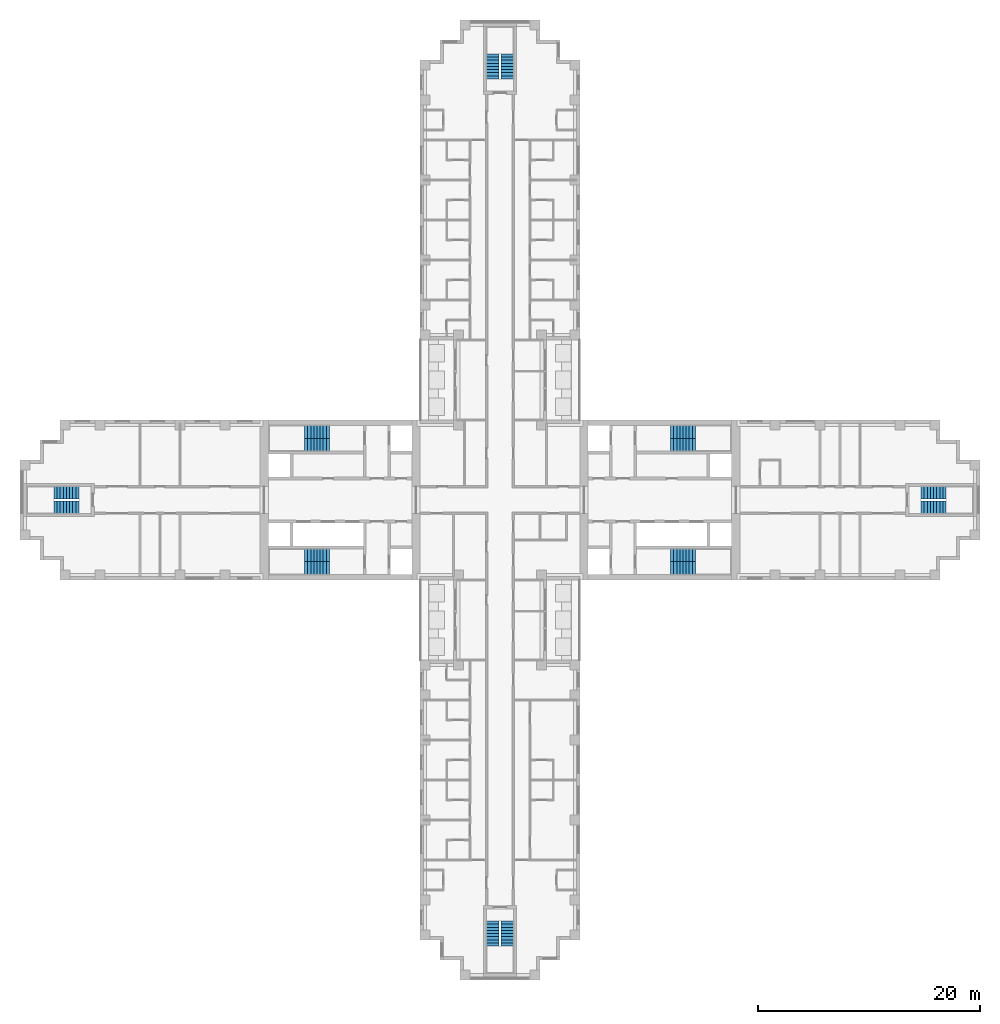
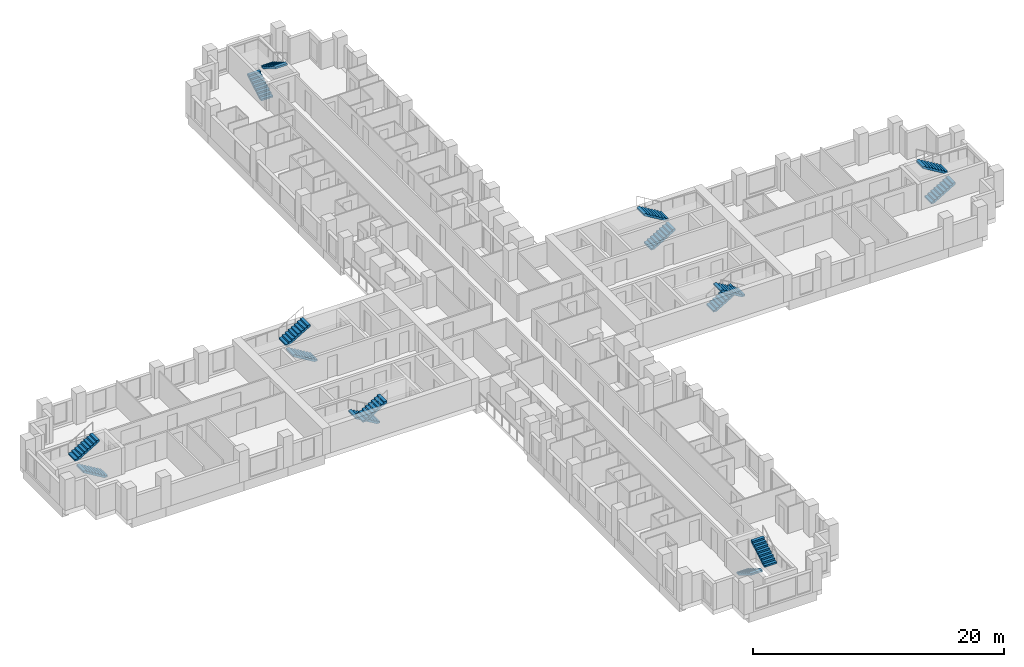
# One storey, part 13 of 15: 16 stair flights, 8 elements without a shape of their own.
"""IFC4 building model written with IfcOpenShell, lengths in metres."""

from ifc_helpers import new_model, si_unit, direction, frame, origin, place, context, subcontext, project, spatial, polyline, outline, extrude, material, type_object, element, aggregate, save


model = new_model("IFC4")

# Units and contexts
model_context = context("Model", 3, precision=1e-05, world=origin(), true_north=direction((0.0, 1.0)))
body_context = subcontext(model_context, "Body", "Model", "MODEL_VIEW")
ifc_project = project(units=[si_unit("LENGTHUNIT", "METRE"), si_unit("AREAUNIT", "SQUARE_METRE"), si_unit("VOLUMEUNIT", "CUBIC_METRE"), si_unit("PLANEANGLEUNIT", "RADIAN"), si_unit("MASSUNIT", "GRAM", prefix="KILO")], contexts=[model_context])

# Site, building, storey
site_placement = place(None, origin())
site = spatial("IfcSite", under=ifc_project, at=site_placement, CompositionType="ELEMENT")
building_placement = place(site_placement, origin())
building = spatial("IfcBuilding", under=site, at=building_placement, Name="Fustian Cross Tower", CompositionType="ELEMENT")
storey_placement = place(building_placement, frame((0.0, 0.0, 17.699951171875)))
storey = spatial("IfcBuildingStorey", under=building, at=storey_placement, Name="L04", CompositionType="ELEMENT", Elevation=17.699951171875)

# Stair, stair flights
ifc_material_1 = material(Name="Concrete C50/60", Category="concrete")
stair_type_1 = type_object("IfcStairType", Name="STAIR 1100 HALF TURN", PredefinedType="HALF_TURN_STAIR", material=ifc_material_1)
stair_1_placement = place(storey_placement, origin())
stair_1 = element("IfcStair", 1, at=stair_1_placement, inside=storey, type_object=stair_type_1, Name="Stair ST5", PredefinedType="HALF_TURN_STAIR")
ifc_material_2 = material(Name="Concrete C50/60", Category="concrete")
stair_flight_type_1 = type_object("IfcStairFlightType", Name="STAIR FLIGHT 1100", PredefinedType="STRAIGHT", material=ifc_material_2)
stair_flight_1_placement = place(storey_placement, frame((-0.64990234375, 37.89990234375, 0.0), z_axis=(0.0, 0.0, 1.0), x_axis=(0.0, 1.0, 0.0)))
stair_flight_1 = element("IfcStairFlight", 2, at=stair_flight_1_placement, type_object=stair_flight_type_1, Name="ST5 flight 1", NumberOfRisers=9, NumberOfTreads=8, PredefinedType="STRAIGHT", RiserHeight=0.166666667, TreadLength=0.28, context=body_context, shape_type="SweptSolid", body=[
    extrude(outline(polyline([(0.0, 0.0), (0.0, 0.166748046875), (0.280029296875, 0.166748046875), (0.280029296875, 0.333251953125), (0.56005859375, 0.333251953125), (0.56005859375, 0.5), (0.840087890625, 0.5), (0.840087890625, 0.666748046875), (1.1201171875, 0.666748046875), (1.1201171875, 0.833251953125), (1.39990234375, 0.833251953125), (1.39990234375, 1.0), (1.679931640625, 1.0), (1.679931640625, 1.166748046875), (1.9599609375, 1.166748046875), (1.9599609375, 1.333251953125), (2.239990234375, 1.333251953125), (2.239990234375, 1.5), (2.239990234375, 1.158935546875), (0.29296875, 0.0), (0.0, 0.0)])), frame((0.0, 0.550048828125, 0.0), z_axis=(0.0, -1.0, 0.0), x_axis=(1.0, 0.0, 0.0)), (0.0, 0.0, 1.0), 1.10009765625),
])
stair_flight_2_placement = place(storey_placement, frame((0.64990234375, 40.139892578125, 1.5), z_axis=(0.0, 0.0, 1.0), x_axis=(0.0, -1.0, 0.0)))
stair_flight_2 = element("IfcStairFlight", 3, at=stair_flight_2_placement, type_object=stair_flight_type_1, Name="ST5 flight 2", NumberOfRisers=9, NumberOfTreads=8, PredefinedType="STRAIGHT", RiserHeight=0.166666667, TreadLength=0.28, context=body_context, shape_type="SweptSolid", body=[
    extrude(outline(polyline([(0.0, 0.0), (0.0, 0.166748046875), (0.280029296875, 0.166748046875), (0.280029296875, 0.333251953125), (0.56005859375, 0.333251953125), (0.56005859375, 0.5), (0.840087890625, 0.5), (0.840087890625, 0.666748046875), (1.1201171875, 0.666748046875), (1.1201171875, 0.833251953125), (1.39990234375, 0.833251953125), (1.39990234375, 1.0), (1.679931640625, 1.0), (1.679931640625, 1.166748046875), (1.9599609375, 1.166748046875), (1.9599609375, 1.333251953125), (2.239990234375, 1.333251953125), (2.239990234375, 1.5), (2.239990234375, 1.158935546875), (0.29296875, 0.0), (0.0, 0.0)])), frame((0.0, 0.550048828125, 0.0), z_axis=(0.0, -1.0, 0.0), x_axis=(1.0, 0.0, 0.0)), (0.0, 0.0, 1.0), 1.10009765625),
])
aggregate(stair_1, [stair_flight_1, stair_flight_2])

stair_2_placement = place(storey_placement, origin())
stair_2 = element("IfcStair", 4, at=stair_2_placement, inside=storey, type_object=stair_type_1, Name="Stair ST6", PredefinedType="HALF_TURN_STAIR")
stair_flight_3_placement = place(storey_placement, frame((-0.64990234375, -37.89990234375, 0.0), z_axis=(0.0, 0.0, 1.0), x_axis=(0.0, -1.0, 0.0)))
stair_flight_3 = element("IfcStairFlight", 5, at=stair_flight_3_placement, type_object=stair_flight_type_1, Name="ST6 flight 1", NumberOfRisers=9, NumberOfTreads=8, PredefinedType="STRAIGHT", RiserHeight=0.166666667, TreadLength=0.28, context=body_context, shape_type="SweptSolid", body=[
    extrude(outline(polyline([(0.0, 0.0), (0.0, 0.166748046875), (0.280029296875, 0.166748046875), (0.280029296875, 0.333251953125), (0.56005859375, 0.333251953125), (0.56005859375, 0.5), (0.840087890625, 0.5), (0.840087890625, 0.666748046875), (1.1201171875, 0.666748046875), (1.1201171875, 0.833251953125), (1.39990234375, 0.833251953125), (1.39990234375, 1.0), (1.679931640625, 1.0), (1.679931640625, 1.166748046875), (1.9599609375, 1.166748046875), (1.9599609375, 1.333251953125), (2.239990234375, 1.333251953125), (2.239990234375, 1.5), (2.239990234375, 1.158935546875), (0.29296875, 0.0), (0.0, 0.0)])), frame((0.0, 0.550048828125, 0.0), z_axis=(0.0, -1.0, 0.0), x_axis=(1.0, 0.0, 0.0)), (0.0, 0.0, 1.0), 1.10009765625),
])
stair_flight_4_placement = place(storey_placement, frame((0.64990234375, -40.139892578125, 1.5), z_axis=(0.0, 0.0, 1.0), x_axis=(0.0, 1.0, 0.0)))
stair_flight_4 = element("IfcStairFlight", 6, at=stair_flight_4_placement, type_object=stair_flight_type_1, Name="ST6 flight 2", NumberOfRisers=9, NumberOfTreads=8, PredefinedType="STRAIGHT", RiserHeight=0.166666667, TreadLength=0.28, context=body_context, shape_type="SweptSolid", body=[
    extrude(outline(polyline([(0.0, 0.0), (0.0, 0.166748046875), (0.280029296875, 0.166748046875), (0.280029296875, 0.333251953125), (0.56005859375, 0.333251953125), (0.56005859375, 0.5), (0.840087890625, 0.5), (0.840087890625, 0.666748046875), (1.1201171875, 0.666748046875), (1.1201171875, 0.833251953125), (1.39990234375, 0.833251953125), (1.39990234375, 1.0), (1.679931640625, 1.0), (1.679931640625, 1.166748046875), (1.9599609375, 1.166748046875), (1.9599609375, 1.333251953125), (2.239990234375, 1.333251953125), (2.239990234375, 1.5), (2.239990234375, 1.158935546875), (0.29296875, 0.0), (0.0, 0.0)])), frame((0.0, 0.550048828125, 0.0), z_axis=(0.0, -1.0, 0.0), x_axis=(1.0, 0.0, 0.0)), (0.0, 0.0, 1.0), 1.10009765625),
])
aggregate(stair_2, [stair_flight_3, stair_flight_4])

stair_3_placement = place(storey_placement, origin())
stair_3 = element("IfcStair", 7, at=stair_3_placement, inside=storey, type_object=stair_type_1, Name="Stair ST8", PredefinedType="HALF_TURN_STAIR")
stair_flight_5_placement = place(storey_placement, frame((37.89990234375, -0.64990234375, 0.0), z_axis=(0.0, 0.0, 1.0), x_axis=(1.0, 0.0, 0.0)))
stair_flight_5 = element("IfcStairFlight", 8, at=stair_flight_5_placement, type_object=stair_flight_type_1, Name="ST8 flight 1", NumberOfRisers=9, NumberOfTreads=8, PredefinedType="STRAIGHT", RiserHeight=0.166666667, TreadLength=0.28, context=body_context, shape_type="SweptSolid", body=[
    extrude(outline(polyline([(0.0, 0.0), (0.0, 0.166748046875), (0.280029296875, 0.166748046875), (0.280029296875, 0.333251953125), (0.56005859375, 0.333251953125), (0.56005859375, 0.5), (0.840087890625, 0.5), (0.840087890625, 0.666748046875), (1.1201171875, 0.666748046875), (1.1201171875, 0.833251953125), (1.39990234375, 0.833251953125), (1.39990234375, 1.0), (1.679931640625, 1.0), (1.679931640625, 1.166748046875), (1.9599609375, 1.166748046875), (1.9599609375, 1.333251953125), (2.239990234375, 1.333251953125), (2.239990234375, 1.5), (2.239990234375, 1.158935546875), (0.29296875, 0.0), (0.0, 0.0)])), frame((0.0, 0.550048828125, 0.0), z_axis=(0.0, -1.0, 0.0), x_axis=(1.0, 0.0, 0.0)), (0.0, 0.0, 1.0), 1.10009765625),
])
stair_flight_6_placement = place(storey_placement, frame((40.139892578125, 0.64990234375, 1.5), z_axis=(0.0, 0.0, 1.0), x_axis=(-1.0, 0.0, 0.0)))
stair_flight_6 = element("IfcStairFlight", 9, at=stair_flight_6_placement, type_object=stair_flight_type_1, Name="ST8 flight 2", NumberOfRisers=9, NumberOfTreads=8, PredefinedType="STRAIGHT", RiserHeight=0.166666667, TreadLength=0.28, context=body_context, shape_type="SweptSolid", body=[
    extrude(outline(polyline([(0.0, 0.0), (0.0, 0.166748046875), (0.280029296875, 0.166748046875), (0.280029296875, 0.333251953125), (0.56005859375, 0.333251953125), (0.56005859375, 0.5), (0.840087890625, 0.5), (0.840087890625, 0.666748046875), (1.1201171875, 0.666748046875), (1.1201171875, 0.833251953125), (1.39990234375, 0.833251953125), (1.39990234375, 1.0), (1.679931640625, 1.0), (1.679931640625, 1.166748046875), (1.9599609375, 1.166748046875), (1.9599609375, 1.333251953125), (2.239990234375, 1.333251953125), (2.239990234375, 1.5), (2.239990234375, 1.158935546875), (0.29296875, 0.0), (0.0, 0.0)])), frame((0.0, 0.550048828125, 0.0), z_axis=(0.0, -1.0, 0.0), x_axis=(1.0, 0.0, 0.0)), (0.0, 0.0, 1.0), 1.10009765625),
])
aggregate(stair_3, [stair_flight_5, stair_flight_6])

stair_4_placement = place(storey_placement, origin())
stair_4 = element("IfcStair", 10, at=stair_4_placement, inside=storey, type_object=stair_type_1, Name="Stair ST9", PredefinedType="HALF_TURN_STAIR")
stair_flight_7_placement = place(storey_placement, frame((-37.89990234375, -0.64990234375, 0.0), z_axis=(0.0, 0.0, 1.0), x_axis=(-1.0, 0.0, 0.0)))
stair_flight_7 = element("IfcStairFlight", 11, at=stair_flight_7_placement, type_object=stair_flight_type_1, Name="ST9 flight 1", NumberOfRisers=9, NumberOfTreads=8, PredefinedType="STRAIGHT", RiserHeight=0.166666667, TreadLength=0.28, context=body_context, shape_type="SweptSolid", body=[
    extrude(outline(polyline([(0.0, 0.0), (0.0, 0.166748046875), (0.280029296875, 0.166748046875), (0.280029296875, 0.333251953125), (0.56005859375, 0.333251953125), (0.56005859375, 0.5), (0.840087890625, 0.5), (0.840087890625, 0.666748046875), (1.1201171875, 0.666748046875), (1.1201171875, 0.833251953125), (1.39990234375, 0.833251953125), (1.39990234375, 1.0), (1.679931640625, 1.0), (1.679931640625, 1.166748046875), (1.9599609375, 1.166748046875), (1.9599609375, 1.333251953125), (2.239990234375, 1.333251953125), (2.239990234375, 1.5), (2.239990234375, 1.158935546875), (0.29296875, 0.0), (0.0, 0.0)])), frame((0.0, 0.550048828125, 0.0), z_axis=(0.0, -1.0, 0.0), x_axis=(1.0, 0.0, 0.0)), (0.0, 0.0, 1.0), 1.10009765625),
])
stair_flight_8_placement = place(storey_placement, frame((-40.139892578125, 0.64990234375, 1.5), z_axis=(0.0, 0.0, 1.0), x_axis=(1.0, 0.0, 0.0)))
stair_flight_8 = element("IfcStairFlight", 12, at=stair_flight_8_placement, type_object=stair_flight_type_1, Name="ST9 flight 2", NumberOfRisers=9, NumberOfTreads=8, PredefinedType="STRAIGHT", RiserHeight=0.166666667, TreadLength=0.28, context=body_context, shape_type="SweptSolid", body=[
    extrude(outline(polyline([(0.0, 0.0), (0.0, 0.166748046875), (0.280029296875, 0.166748046875), (0.280029296875, 0.333251953125), (0.56005859375, 0.333251953125), (0.56005859375, 0.5), (0.840087890625, 0.5), (0.840087890625, 0.666748046875), (1.1201171875, 0.666748046875), (1.1201171875, 0.833251953125), (1.39990234375, 0.833251953125), (1.39990234375, 1.0), (1.679931640625, 1.0), (1.679931640625, 1.166748046875), (1.9599609375, 1.166748046875), (1.9599609375, 1.333251953125), (2.239990234375, 1.333251953125), (2.239990234375, 1.5), (2.239990234375, 1.158935546875), (0.29296875, 0.0), (0.0, 0.0)])), frame((0.0, 0.550048828125, 0.0), z_axis=(0.0, -1.0, 0.0), x_axis=(1.0, 0.0, 0.0)), (0.0, 0.0, 1.0), 1.10009765625),
])
aggregate(stair_4, [stair_flight_7, stair_flight_8])

ifc_material_3 = material(Name="Concrete C50/60", Category="concrete")
stair_type_2 = type_object("IfcStairType", Name="STAIR 1150 HALF TURN", PredefinedType="HALF_TURN_STAIR", material=ifc_material_3)
stair_5_placement = place(storey_placement, origin())
stair_5 = element("IfcStair", 13, at=stair_5_placement, inside=storey, type_object=stair_type_2, Name="Stair ST1", PredefinedType="HALF_TURN_STAIR")
ifc_material_4 = material(Name="Concrete C50/60", Category="concrete")
stair_flight_type_2 = type_object("IfcStairFlightType", Name="STAIR FLIGHT 1150", PredefinedType="STRAIGHT", material=ifc_material_4)
stair_flight_9_placement = place(storey_placement, frame((15.35009765625, 4.97509765625, 0.0), z_axis=(0.0, 0.0, 1.0), x_axis=(1.0, 0.0, 0.0)))
stair_flight_9 = element("IfcStairFlight", 14, at=stair_flight_9_placement, type_object=stair_flight_type_2, Name="ST1 flight 1", NumberOfRisers=9, NumberOfTreads=8, PredefinedType="STRAIGHT", RiserHeight=0.166666667, TreadLength=0.28, context=body_context, shape_type="SweptSolid", body=[
    extrude(outline(polyline([(0.0, 0.0), (0.0, 0.166748046875), (0.280029296875, 0.166748046875), (0.280029296875, 0.333251953125), (0.56005859375, 0.333251953125), (0.56005859375, 0.5), (0.840087890625, 0.5), (0.840087890625, 0.666748046875), (1.1201171875, 0.666748046875), (1.1201171875, 0.833251953125), (1.39990234375, 0.833251953125), (1.39990234375, 1.0), (1.679931640625, 1.0), (1.679931640625, 1.166748046875), (1.9599609375, 1.166748046875), (1.9599609375, 1.333251953125), (2.239990234375, 1.333251953125), (2.239990234375, 1.5), (2.239990234375, 1.158935546875), (0.29296875, 0.0), (0.0, 0.0)])), frame((0.0, 0.574951171875, 0.0), z_axis=(0.0, -1.0, 0.0), x_axis=(1.0, 0.0, 0.0)), (0.0, 0.0, 1.0), 1.14990234375),
])
stair_flight_10_placement = place(storey_placement, frame((17.590087890625, 6.125, 1.5), z_axis=(0.0, 0.0, 1.0), x_axis=(-1.0, 0.0, 0.0)))
stair_flight_10 = element("IfcStairFlight", 15, at=stair_flight_10_placement, type_object=stair_flight_type_2, Name="ST1 flight 2", NumberOfRisers=9, NumberOfTreads=8, PredefinedType="STRAIGHT", RiserHeight=0.166666667, TreadLength=0.28, context=body_context, shape_type="SweptSolid", body=[
    extrude(outline(polyline([(0.0, 0.0), (0.0, 0.166748046875), (0.280029296875, 0.166748046875), (0.280029296875, 0.333251953125), (0.56005859375, 0.333251953125), (0.56005859375, 0.5), (0.840087890625, 0.5), (0.840087890625, 0.666748046875), (1.1201171875, 0.666748046875), (1.1201171875, 0.833251953125), (1.39990234375, 0.833251953125), (1.39990234375, 1.0), (1.679931640625, 1.0), (1.679931640625, 1.166748046875), (1.9599609375, 1.166748046875), (1.9599609375, 1.333251953125), (2.239990234375, 1.333251953125), (2.239990234375, 1.5), (2.239990234375, 1.158935546875), (0.29296875, 0.0), (0.0, 0.0)])), frame((0.0, 0.574951171875, 0.0), z_axis=(0.0, -1.0, 0.0), x_axis=(1.0, 0.0, 0.0)), (0.0, 0.0, 1.0), 1.14990234375),
])
aggregate(stair_5, [stair_flight_9, stair_flight_10])

stair_6_placement = place(storey_placement, origin())
stair_6 = element("IfcStair", 16, at=stair_6_placement, inside=storey, type_object=stair_type_2, Name="Stair ST2", PredefinedType="HALF_TURN_STAIR")
stair_flight_11_placement = place(storey_placement, frame((15.35009765625, -4.97509765625, 0.0), z_axis=(0.0, 0.0, 1.0), x_axis=(1.0, 0.0, 0.0)))
stair_flight_11 = element("IfcStairFlight", 17, at=stair_flight_11_placement, type_object=stair_flight_type_2, Name="ST2 flight 1", NumberOfRisers=9, NumberOfTreads=8, PredefinedType="STRAIGHT", RiserHeight=0.166666667, TreadLength=0.28, context=body_context, shape_type="SweptSolid", body=[
    extrude(outline(polyline([(0.0, 0.0), (0.0, 0.166748046875), (0.280029296875, 0.166748046875), (0.280029296875, 0.333251953125), (0.56005859375, 0.333251953125), (0.56005859375, 0.5), (0.840087890625, 0.5), (0.840087890625, 0.666748046875), (1.1201171875, 0.666748046875), (1.1201171875, 0.833251953125), (1.39990234375, 0.833251953125), (1.39990234375, 1.0), (1.679931640625, 1.0), (1.679931640625, 1.166748046875), (1.9599609375, 1.166748046875), (1.9599609375, 1.333251953125), (2.239990234375, 1.333251953125), (2.239990234375, 1.5), (2.239990234375, 1.158935546875), (0.29296875, 0.0), (0.0, 0.0)])), frame((0.0, 0.574951171875, 0.0), z_axis=(0.0, -1.0, 0.0), x_axis=(1.0, 0.0, 0.0)), (0.0, 0.0, 1.0), 1.14990234375),
])
stair_flight_12_placement = place(storey_placement, frame((17.590087890625, -6.125, 1.5), z_axis=(0.0, 0.0, 1.0), x_axis=(-1.0, 0.0, 0.0)))
stair_flight_12 = element("IfcStairFlight", 18, at=stair_flight_12_placement, type_object=stair_flight_type_2, Name="ST2 flight 2", NumberOfRisers=9, NumberOfTreads=8, PredefinedType="STRAIGHT", RiserHeight=0.166666667, TreadLength=0.28, context=body_context, shape_type="SweptSolid", body=[
    extrude(outline(polyline([(0.0, 0.0), (0.0, 0.166748046875), (0.280029296875, 0.166748046875), (0.280029296875, 0.333251953125), (0.56005859375, 0.333251953125), (0.56005859375, 0.5), (0.840087890625, 0.5), (0.840087890625, 0.666748046875), (1.1201171875, 0.666748046875), (1.1201171875, 0.833251953125), (1.39990234375, 0.833251953125), (1.39990234375, 1.0), (1.679931640625, 1.0), (1.679931640625, 1.166748046875), (1.9599609375, 1.166748046875), (1.9599609375, 1.333251953125), (2.239990234375, 1.333251953125), (2.239990234375, 1.5), (2.239990234375, 1.158935546875), (0.29296875, 0.0), (0.0, 0.0)])), frame((0.0, 0.574951171875, 0.0), z_axis=(0.0, -1.0, 0.0), x_axis=(1.0, 0.0, 0.0)), (0.0, 0.0, 1.0), 1.14990234375),
])
aggregate(stair_6, [stair_flight_11, stair_flight_12])

stair_7_placement = place(storey_placement, origin())
stair_7 = element("IfcStair", 19, at=stair_7_placement, inside=storey, type_object=stair_type_2, Name="Stair ST3", PredefinedType="HALF_TURN_STAIR")
stair_flight_13_placement = place(storey_placement, frame((-15.35009765625, 4.97509765625, 0.0), z_axis=(0.0, 0.0, 1.0), x_axis=(-1.0, 0.0, 0.0)))
stair_flight_13 = element("IfcStairFlight", 20, at=stair_flight_13_placement, type_object=stair_flight_type_2, Name="ST3 flight 1", NumberOfRisers=9, NumberOfTreads=8, PredefinedType="STRAIGHT", RiserHeight=0.166666667, TreadLength=0.28, context=body_context, shape_type="SweptSolid", body=[
    extrude(outline(polyline([(0.0, 0.0), (0.0, 0.166748046875), (0.280029296875, 0.166748046875), (0.280029296875, 0.333251953125), (0.56005859375, 0.333251953125), (0.56005859375, 0.5), (0.840087890625, 0.5), (0.840087890625, 0.666748046875), (1.1201171875, 0.666748046875), (1.1201171875, 0.833251953125), (1.39990234375, 0.833251953125), (1.39990234375, 1.0), (1.679931640625, 1.0), (1.679931640625, 1.166748046875), (1.9599609375, 1.166748046875), (1.9599609375, 1.333251953125), (2.239990234375, 1.333251953125), (2.239990234375, 1.5), (2.239990234375, 1.158935546875), (0.29296875, 0.0), (0.0, 0.0)])), frame((0.0, 0.574951171875, 0.0), z_axis=(0.0, -1.0, 0.0), x_axis=(1.0, 0.0, 0.0)), (0.0, 0.0, 1.0), 1.14990234375),
])
stair_flight_14_placement = place(storey_placement, frame((-17.590087890625, 6.125, 1.5), z_axis=(0.0, 0.0, 1.0), x_axis=(1.0, 0.0, 0.0)))
stair_flight_14 = element("IfcStairFlight", 21, at=stair_flight_14_placement, type_object=stair_flight_type_2, Name="ST3 flight 2", NumberOfRisers=9, NumberOfTreads=8, PredefinedType="STRAIGHT", RiserHeight=0.166666667, TreadLength=0.28, context=body_context, shape_type="SweptSolid", body=[
    extrude(outline(polyline([(0.0, 0.0), (0.0, 0.166748046875), (0.280029296875, 0.166748046875), (0.280029296875, 0.333251953125), (0.56005859375, 0.333251953125), (0.56005859375, 0.5), (0.840087890625, 0.5), (0.840087890625, 0.666748046875), (1.1201171875, 0.666748046875), (1.1201171875, 0.833251953125), (1.39990234375, 0.833251953125), (1.39990234375, 1.0), (1.679931640625, 1.0), (1.679931640625, 1.166748046875), (1.9599609375, 1.166748046875), (1.9599609375, 1.333251953125), (2.239990234375, 1.333251953125), (2.239990234375, 1.5), (2.239990234375, 1.158935546875), (0.29296875, 0.0), (0.0, 0.0)])), frame((0.0, 0.574951171875, 0.0), z_axis=(0.0, -1.0, 0.0), x_axis=(1.0, 0.0, 0.0)), (0.0, 0.0, 1.0), 1.14990234375),
])
aggregate(stair_7, [stair_flight_13, stair_flight_14])

stair_8_placement = place(storey_placement, origin())
stair_8 = element("IfcStair", 22, at=stair_8_placement, inside=storey, type_object=stair_type_2, Name="Stair ST4", PredefinedType="HALF_TURN_STAIR")
stair_flight_15_placement = place(storey_placement, frame((-15.35009765625, -4.97509765625, 0.0), z_axis=(0.0, 0.0, 1.0), x_axis=(-1.0, 0.0, 0.0)))
stair_flight_15 = element("IfcStairFlight", 23, at=stair_flight_15_placement, type_object=stair_flight_type_2, Name="ST4 flight 1", NumberOfRisers=9, NumberOfTreads=8, PredefinedType="STRAIGHT", RiserHeight=0.166666667, TreadLength=0.28, context=body_context, shape_type="SweptSolid", body=[
    extrude(outline(polyline([(0.0, 0.0), (0.0, 0.166748046875), (0.280029296875, 0.166748046875), (0.280029296875, 0.333251953125), (0.56005859375, 0.333251953125), (0.56005859375, 0.5), (0.840087890625, 0.5), (0.840087890625, 0.666748046875), (1.1201171875, 0.666748046875), (1.1201171875, 0.833251953125), (1.39990234375, 0.833251953125), (1.39990234375, 1.0), (1.679931640625, 1.0), (1.679931640625, 1.166748046875), (1.9599609375, 1.166748046875), (1.9599609375, 1.333251953125), (2.239990234375, 1.333251953125), (2.239990234375, 1.5), (2.239990234375, 1.158935546875), (0.29296875, 0.0), (0.0, 0.0)])), frame((0.0, 0.574951171875, 0.0), z_axis=(0.0, -1.0, 0.0), x_axis=(1.0, 0.0, 0.0)), (0.0, 0.0, 1.0), 1.14990234375),
])
stair_flight_16_placement = place(storey_placement, frame((-17.590087890625, -6.125, 1.5), z_axis=(0.0, 0.0, 1.0), x_axis=(1.0, 0.0, 0.0)))
stair_flight_16 = element("IfcStairFlight", 24, at=stair_flight_16_placement, type_object=stair_flight_type_2, Name="ST4 flight 2", NumberOfRisers=9, NumberOfTreads=8, PredefinedType="STRAIGHT", RiserHeight=0.166666667, TreadLength=0.28, context=body_context, shape_type="SweptSolid", body=[
    extrude(outline(polyline([(0.0, 0.0), (0.0, 0.166748046875), (0.280029296875, 0.166748046875), (0.280029296875, 0.333251953125), (0.56005859375, 0.333251953125), (0.56005859375, 0.5), (0.840087890625, 0.5), (0.840087890625, 0.666748046875), (1.1201171875, 0.666748046875), (1.1201171875, 0.833251953125), (1.39990234375, 0.833251953125), (1.39990234375, 1.0), (1.679931640625, 1.0), (1.679931640625, 1.166748046875), (1.9599609375, 1.166748046875), (1.9599609375, 1.333251953125), (2.239990234375, 1.333251953125), (2.239990234375, 1.5), (2.239990234375, 1.158935546875), (0.29296875, 0.0), (0.0, 0.0)])), frame((0.0, 0.574951171875, 0.0), z_axis=(0.0, -1.0, 0.0), x_axis=(1.0, 0.0, 0.0)), (0.0, 0.0, 1.0), 1.14990234375),
])
aggregate(stair_8, [stair_flight_15, stair_flight_16])

save(model, "model.ifc")
